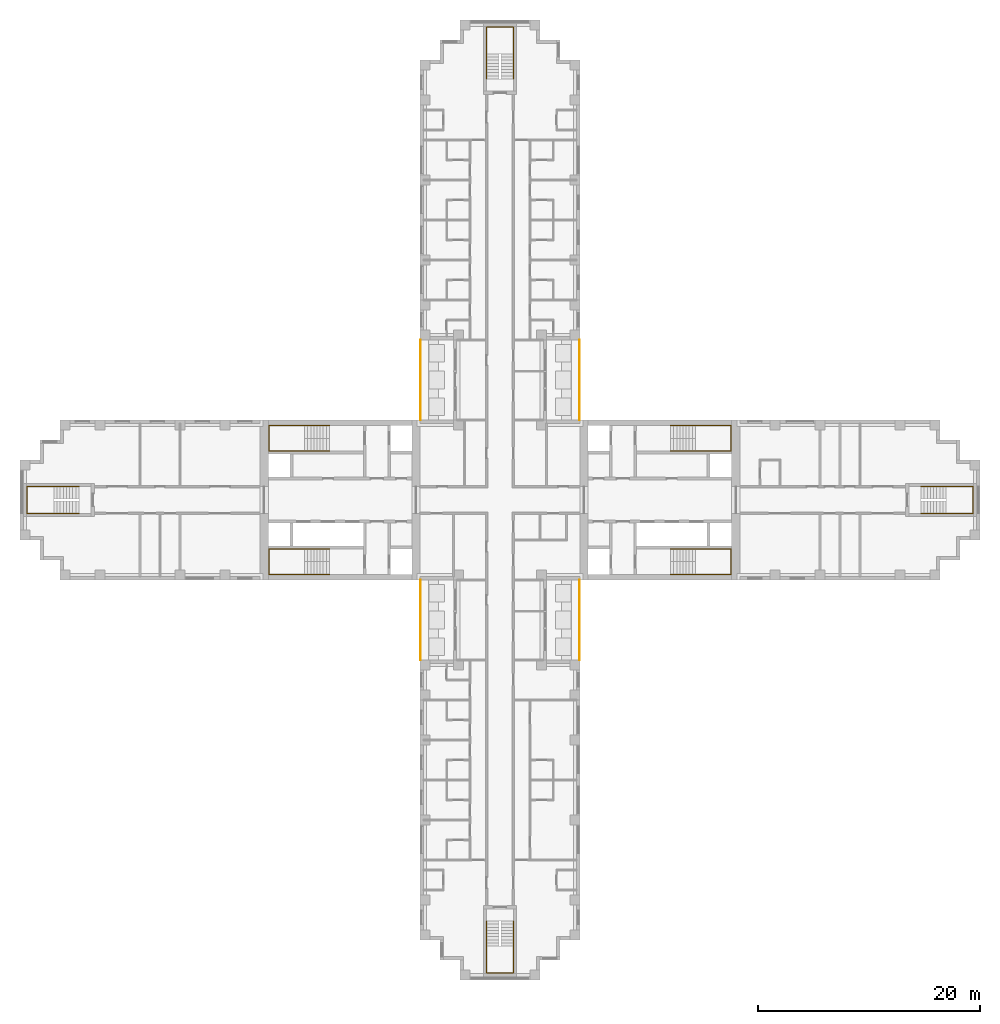
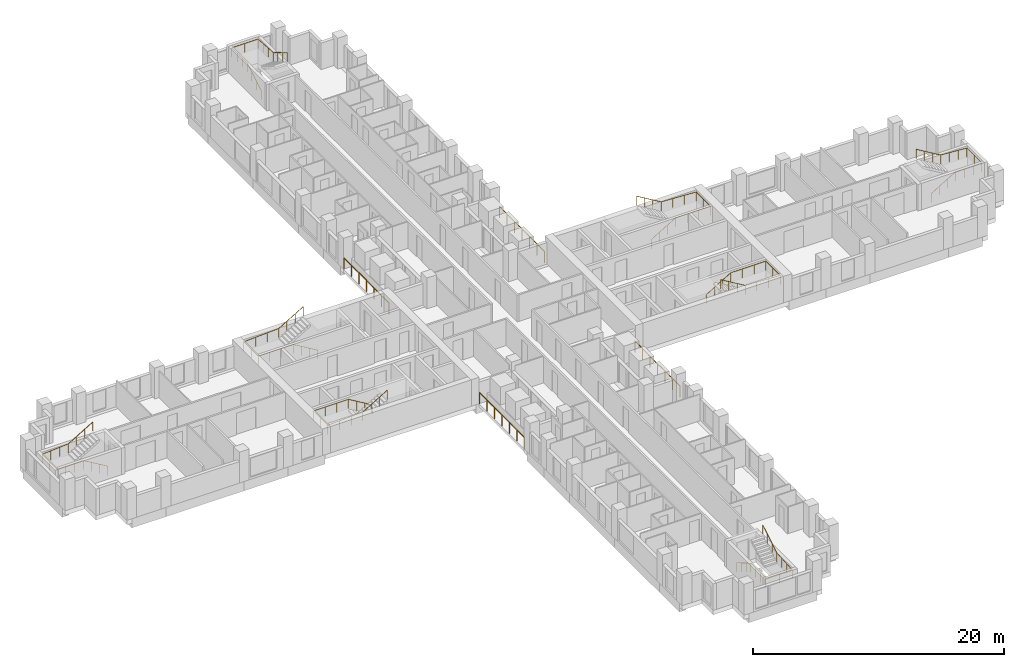
# One storey, part 14 of 15: 12 railings.
"""IFC4 building model written with IfcOpenShell, lengths in metres."""

import ifcopenshell
import ifcopenshell.guid

model = None  # the IFC model being written
_history = None  # IfcOwnerHistory: only IFC2X3 demands one
_inside = {}  # id of a spatial element -> (the spatial element, [elements in it])
_under = {}  # id of a project, library or spatial element -> (it, [spatial elements below it])
_declared = {}  # id of a project -> (the project, [libraries it declares])
_typed = {}  # id of a type object -> (the type object, [elements of that type])
_made_of = {}  # id of a material, layer set ... -> (it, [elements and type objects made of it])


def new_model(schema):
    """Start an empty IFC model of exactly this schema.

    Asked for "IFC4X3", IfcOpenShell would pick the latest addendum, in which some entities
    have other attributes; the version numbers below select the first issue.
    IFC2X3 requires an IfcOwnerHistory on every rooted entity: one is made here for all.
    """
    global model, _history
    if schema == "IFC4X3":
        model = ifcopenshell.file(schema_version=(4, 3, 0, 0))
    else:
        model = ifcopenshell.file(schema=schema)
    _inside.clear()
    _under.clear()
    _declared.clear()
    _typed.clear()
    _made_of.clear()
    _history = None
    if model.schema == "IFC2X3":
        org = make("IfcOrganization", Name="unknown")
        user = make(
            "IfcPersonAndOrganization",
            ThePerson=make("IfcPerson", FamilyName="unknown"),
            TheOrganization=org,
        )
        app = make(
            "IfcApplication",
            ApplicationDeveloper=org,
            Version="unknown",
            ApplicationFullName="unknown",
            ApplicationIdentifier="unknown",
        )
        _history = make(
            "IfcOwnerHistory",
            OwningUser=user,
            OwningApplication=app,
            ChangeAction="ADDED",
            CreationDate=0,
        )
    return model


def make(cls, **values):
    """One entity of the class cls with the attributes given. An attribute that is None is left unset."""
    return model.create_entity(
        cls, **{name: value for name, value in values.items() if value is not None}
    )


def rooted(cls, **values):
    """An entity with a GlobalId (a new one), such as an element, a storey or a relation."""
    return make(cls, GlobalId=ifcopenshell.guid.new(), OwnerHistory=_history, **values)


def si_unit(unit_type, name, prefix=None):
    """IfcSIUnit, for example si_unit("LENGTHUNIT", "METRE", prefix="MILLI")."""
    return make("IfcSIUnit", UnitType=unit_type, Prefix=prefix, Name=name)


def assignment(units):
    """IfcUnitAssignment: the units of a project."""
    return None if units is None else make("IfcUnitAssignment", Units=units)


def point(xyz):
    """IfcCartesianPoint."""
    return None if xyz is None else make("IfcCartesianPoint", Coordinates=xyz)


def direction(xyz):
    """IfcDirection."""
    return None if xyz is None else make("IfcDirection", DirectionRatios=xyz)


def frame(location, z_axis=None, x_axis=None):
    """IfcAxis2Placement3D, a coordinate frame: its origin and axes. An axis left out is left unset."""
    return make(
        "IfcAxis2Placement3D",
        Location=point(location),
        Axis=direction(z_axis),
        RefDirection=direction(x_axis),
    )


def frame_2d(location, x_axis=None):
    """IfcAxis2Placement2D, a coordinate frame in the plane: its origin and x axis."""
    return make(
        "IfcAxis2Placement2D", Location=point(location), RefDirection=direction(x_axis)
    )


def origin():
    """The frame at (0, 0, 0) with its axes left unset."""
    return frame((0.0, 0.0, 0.0))


def origin_2d():
    """The frame at (0, 0) in the plane with its x axis left unset."""
    return frame_2d((0.0, 0.0))


def place(relative_to, where):
    """IfcLocalPlacement: puts the frame where relative to a parent placement (None: the world)."""
    return make(
        "IfcLocalPlacement", PlacementRelTo=relative_to, RelativePlacement=where
    )


def context(
    kind, dimensions, precision=None, world=None, true_north=None, identifier=None
):
    """IfcGeometricRepresentationContext, for example the 3D "Model" context."""
    return make(
        "IfcGeometricRepresentationContext",
        ContextIdentifier=identifier,
        ContextType=kind,
        CoordinateSpaceDimension=dimensions,
        Precision=precision,
        WorldCoordinateSystem=world,
        TrueNorth=true_north,
    )


def subcontext(parent, identifier, kind, view, scale=None):
    """IfcGeometricRepresentationSubContext, for example "Body" below "Model"."""
    return make(
        "IfcGeometricRepresentationSubContext",
        ContextIdentifier=identifier,
        ContextType=kind,
        ParentContext=parent,
        TargetScale=scale,
        TargetView=view,
    )


def project(units=None, contexts=None):
    """IfcProject with its units and contexts."""
    return rooted(
        "IfcProject",
        Name="project",
        RepresentationContexts=contexts,
        UnitsInContext=assignment(units),
    )


def spatial(cls, under=None, at=None, **own):
    """A site, building, storey or space (cls), placed at a placement, below another one or the project."""
    s = rooted(cls, ObjectPlacement=at, **own)
    if under is not None:
        _under.setdefault(under.id(), (under, []))[1].append(s)
    return s


def profile(cls, at=None, kind="AREA", **sizes):
    """A parametric profile (cls). Its sizes go by their IFC names, for example OverallWidth=200.0."""
    return make(cls, ProfileType=kind, Position=at, **sizes)


def circle(**sizes):
    """IfcCircleProfileDef."""
    return profile("IfcCircleProfileDef", **sizes)


def extrude(swept, where, along, depth):
    """IfcExtrudedAreaSolid: the profile swept, set in the frame where, extruded along a direction by depth."""
    return make(
        "IfcExtrudedAreaSolid",
        SweptArea=swept,
        Position=where,
        ExtrudedDirection=direction(along),
        Depth=depth,
    )


def shape(context_of_items, identifier, shape_type, items):
    """IfcShapeRepresentation: the items that make up one representation, for example the "Body"."""
    return make(
        "IfcShapeRepresentation",
        ContextOfItems=context_of_items,
        RepresentationIdentifier=identifier,
        RepresentationType=shape_type,
        Items=items,
    )


def material(Name=None, Category=None):
    """IfcMaterial."""
    return make("IfcMaterial", Name=Name, Category=Category)


def made_of(thing, what):
    """Note that an element or type object is made of a material, layer set ...; save() writes the relation."""
    if what is not None:
        _made_of.setdefault(what.id(), (what, []))[1].append(thing)
    return thing


def type_object(cls, material=None, **own):
    """A type object (cls), such as IfcWallType, which elements share."""
    return made_of(rooted(cls, **own), material)


def element(
    cls,
    number,
    at=None,
    inside=None,
    cuts=None,
    type_object=None,
    material=None,
    context=None,
    identifier="Body",
    shape_type=None,
    held_by="IfcProductDefinitionShape",
    body=None,
    shapes=None,
    **own,
):
    """One element of the class cls, such as IfcWall. Its Tag is "e" and its number.

    at: its placement. inside: the storey or other place that contains it. cuts: it is an
    opening in that element (IfcRelVoidsElement). A single representation is given by context,
    identifier, shape_type and body (its items); several are given by shapes. held_by: the class
    of the entity that holds the representations. save() writes the other relations.
    """
    e = rooted(cls, Tag="e%d" % number, ObjectPlacement=at, **own)
    if body is not None:
        shapes = [shape(context, identifier, shape_type, body)]
    if shapes is not None:
        e.Representation = make(held_by, Representations=shapes)
    if inside is not None:
        _inside.setdefault(inside.id(), (inside, []))[1].append(e)
    if cuts is not None:
        rooted(
            "IfcRelVoidsElement", RelatingBuildingElement=cuts, RelatedOpeningElement=e
        )
    if type_object is not None:
        _typed.setdefault(type_object.id(), (type_object, []))[1].append(e)
    return made_of(e, material)


def aggregate(whole, parts):
    """IfcRelAggregates: a whole, such as a stair, and the parts it consists of."""
    return rooted("IfcRelAggregates", RelatingObject=whole, RelatedObjects=parts)


def save(model, path):
    """Write the relations noted so far, then the file.

    IfcRelAggregates (storeys below a building ...), IfcRelContainedInSpatialStructure (elements
    in a storey), IfcRelDefinesByType, IfcRelAssociatesMaterial and IfcRelDeclares: one each for
    every whole, place, type object, material and project.
    """
    for whole, parts in _under.values():
        aggregate(whole, parts)
    for where, things in _inside.values():
        rooted(
            "IfcRelContainedInSpatialStructure",
            RelatedElements=things,
            RelatingStructure=where,
        )
    for kind, things in _typed.values():
        rooted("IfcRelDefinesByType", RelatedObjects=things, RelatingType=kind)
    for what, things in _made_of.values():
        rooted("IfcRelAssociatesMaterial", RelatedObjects=things, RelatingMaterial=what)
    for by, libraries in _declared.values():
        rooted("IfcRelDeclares", RelatingContext=by, RelatedDefinitions=libraries)
    model.write(path)


model = new_model("IFC4")

# Units and contexts
model_context = context("Model", 3, precision=1e-05, world=origin(), true_north=direction((0.0, 1.0)))
body_context = subcontext(model_context, "Body", "Model", "MODEL_VIEW")
ifc_project = project(units=[si_unit("LENGTHUNIT", "METRE"), si_unit("AREAUNIT", "SQUARE_METRE"), si_unit("VOLUMEUNIT", "CUBIC_METRE"), si_unit("PLANEANGLEUNIT", "RADIAN"), si_unit("MASSUNIT", "GRAM", prefix="KILO")], contexts=[model_context])

# Site, building, storey
site_placement = place(None, origin())
site = spatial("IfcSite", under=ifc_project, at=site_placement, CompositionType="ELEMENT")
building_placement = place(site_placement, origin())
building = spatial("IfcBuilding", under=site, at=building_placement, Name="Fustian Cross Tower", CompositionType="ELEMENT")
storey_placement = place(building_placement, frame((0.0, 0.0, 14.699951171875)))
storey = spatial("IfcBuildingStorey", under=building, at=storey_placement, Name="L03", CompositionType="ELEMENT", Elevation=14.699951171875)

# Railings
ifc_material_1 = material(Name="Stainless steel and glass", Category="steel")
railing_type_1 = type_object("IfcRailingType", Name="GR1 BALCONY GUARD 1100", PredefinedType="GUARDRAIL", material=ifc_material_1)
for number, where, name in (
    (1, (7.14990234375, 7.199951171875, 0.0), "Balcony guard"),
    (2, (-7.14990234375, 7.199951171875, 0.0), "Balcony guard"),
    (3, (7.14990234375, -14.39990234375, 0.0), "Balcony guard"),
    (4, (-7.14990234375, -14.39990234375, 0.0), "Balcony guard"),
):
    element("IfcRailing", number, at=place(storey_placement, frame(where)), inside=storey, type_object=railing_type_1, Name=name, PredefinedType="GUARDRAIL", context=body_context, shape_type="SweptSolid", body=[
        extrude(circle(Radius=0.02392578125, at=origin_2d()), frame((0.0, 0.0, 1.076171875), z_axis=(0.0, 1.0, 0.0), x_axis=(-1.0, 0.0, 0.0)), (0.0, 0.0, 1.0), 7.199951171875),
        extrude(circle(Radius=0.02099609375, at=origin_2d()), origin(), (0.0, 0.0, 1.0), 1.052001953125),
        extrude(circle(Radius=0.02099609375, at=origin_2d()), frame((0.0, 1.199951171875, 0.0)), (0.0, 0.0, 1.0), 1.052001953125),
        extrude(circle(Radius=0.02099609375, at=origin_2d()), frame((0.0, 2.39990234375, 0.0)), (0.0, 0.0, 1.0), 1.052001953125),
        extrude(circle(Radius=0.02099609375, at=origin_2d()), frame((0.0, 3.60009765625, 0.0)), (0.0, 0.0, 1.0), 1.052001953125),
        extrude(circle(Radius=0.02099609375, at=origin_2d()), frame((0.0, 4.800048828125, 0.0)), (0.0, 0.0, 1.0), 1.052001953125),
        extrude(circle(Radius=0.02099609375, at=origin_2d()), frame((0.0, 6.0, 0.0)), (0.0, 0.0, 1.0), 1.052001953125),
        extrude(circle(Radius=0.02099609375, at=origin_2d()), frame((0.0, 7.199951171875, 0.0)), (0.0, 0.0, 1.0), 1.052001953125),
    ])
ifc_material_2 = material(Name="Stainless steel", Category="steel")
railing_type_2 = type_object("IfcRailingType", Name="STAIR HANDRAIL", PredefinedType="HANDRAIL", material=ifc_material_2)
railing_1_placement = place(storey_placement, frame((15.35009765625, 4.39990234375, 0.166748046875)))
element("IfcRailing", 5, at=railing_1_placement, inside=storey, type_object=railing_type_2, Name="Stair ST1 handrail 1", PredefinedType="HANDRAIL", context=body_context, shape_type="SweptSolid", body=[
    extrude(circle(Radius=0.02490234375, at=origin_2d()), frame((0.0, 0.0, 0.875), z_axis=(0.859305625298, 0.0, 0.511462454469), x_axis=(0.0, 1.0, 0.0)), (0.0, 0.0, 1.0), 2.606689453125),
    extrude(circle(Radius=0.02490234375, at=origin_2d()), frame((2.239990234375, 0.0, 2.2080078125), z_axis=(1.0, 0.0, 0.0), x_axis=(0.0, 1.0, 0.0)), (0.0, 0.0, 1.0), 3.219970703125),
    extrude(circle(Radius=0.02490234375, at=origin_2d()), frame((5.4599609375, 0.0, 2.2080078125), z_axis=(0.0, 1.0, 0.0), x_axis=(-1.0, 0.0, 0.0)), (0.0, 0.0, 1.0), 2.300048828125),
    extrude(circle(Radius=0.02490234375, at=origin_2d()), frame((5.4599609375, 2.300048828125, 2.2080078125), z_axis=(-0.998661817807, 0.0, 0.051716280352), x_axis=(0.0, -1.0, 0.0)), (0.0, 0.0, 1.0), 3.224365234375),
    extrude(circle(Radius=0.02490234375, at=origin_2d()), frame((2.239990234375, 2.300048828125, 2.375), z_axis=(-0.859305625298, 0.0, 0.511462454469), x_axis=(0.0, -1.0, 0.0)), (0.0, 0.0, 1.0), 2.606689453125),
    extrude(circle(Radius=0.02001953125, at=origin_2d()), origin(), (0.0, 0.0, 1.0), 0.849853515625),
    extrude(circle(Radius=0.02001953125, at=origin_2d()), frame((0.74658203125, 0.0, 0.4443359375)), (0.0, 0.0, 1.0), 0.849853515625),
    extrude(circle(Radius=0.02001953125, at=origin_2d()), frame((1.493408203125, 0.0, 0.888916015625)), (0.0, 0.0, 1.0), 0.849853515625),
    extrude(circle(Radius=0.02001953125, at=origin_2d()), frame((2.239990234375, 0.0, 1.333251953125)), (0.0, 0.0, 1.0), 0.849853515625),
    extrude(circle(Radius=0.02001953125, at=origin_2d()), frame((3.313232421875, 0.0, 1.333251953125)), (0.0, 0.0, 1.0), 0.849853515625),
    extrude(circle(Radius=0.02001953125, at=origin_2d()), frame((4.38671875, 0.0, 1.333251953125)), (0.0, 0.0, 1.0), 0.849853515625),
    extrude(circle(Radius=0.02001953125, at=origin_2d()), frame((5.4599609375, 0.0, 1.333251953125)), (0.0, 0.0, 1.0), 0.849853515625),
    extrude(circle(Radius=0.02001953125, at=origin_2d()), frame((5.4599609375, 1.14990234375, 1.333251953125)), (0.0, 0.0, 1.0), 0.849853515625),
    extrude(circle(Radius=0.02001953125, at=origin_2d()), frame((5.4599609375, 2.300048828125, 1.333251953125)), (0.0, 0.0, 1.0), 0.849853515625),
    extrude(circle(Radius=0.02001953125, at=origin_2d()), frame((4.38671875, 2.300048828125, 1.388916015625)), (0.0, 0.0, 1.0), 0.849853515625),
    extrude(circle(Radius=0.02001953125, at=origin_2d()), frame((3.313232421875, 2.300048828125, 1.4443359375)), (0.0, 0.0, 1.0), 0.849853515625),
    extrude(circle(Radius=0.02001953125, at=origin_2d()), frame((2.239990234375, 2.300048828125, 1.5)), (0.0, 0.0, 1.0), 0.849853515625),
    extrude(circle(Radius=0.02001953125, at=origin_2d()), frame((1.493408203125, 2.300048828125, 1.9443359375)), (0.0, 0.0, 1.0), 0.849853515625),
    extrude(circle(Radius=0.02001953125, at=origin_2d()), frame((0.74658203125, 2.300048828125, 2.388916015625)), (0.0, 0.0, 1.0), 0.849853515625),
    extrude(circle(Radius=0.02001953125, at=origin_2d()), frame((0.0, 2.300048828125, 2.833251953125)), (0.0, 0.0, 1.0), 0.849853515625),
])
railing_2_placement = place(storey_placement, frame((15.35009765625, -4.39990234375, 0.166748046875)))
element("IfcRailing", 6, at=railing_2_placement, inside=storey, type_object=railing_type_2, Name="Stair ST2 handrail 1", PredefinedType="HANDRAIL", context=body_context, shape_type="SweptSolid", body=[
    extrude(circle(Radius=0.02490234375, at=origin_2d()), frame((0.0, 0.0, 0.875), z_axis=(0.859305625298, 0.0, 0.511462454469), x_axis=(0.0, 1.0, 0.0)), (0.0, 0.0, 1.0), 2.606689453125),
    extrude(circle(Radius=0.02490234375, at=origin_2d()), frame((2.239990234375, 0.0, 2.2080078125), z_axis=(1.0, 0.0, 0.0), x_axis=(0.0, 1.0, 0.0)), (0.0, 0.0, 1.0), 3.219970703125),
    extrude(circle(Radius=0.02490234375, at=origin_2d()), frame((5.4599609375, 0.0, 2.2080078125), z_axis=(0.0, -1.0, 0.0), x_axis=(1.0, 0.0, 0.0)), (0.0, 0.0, 1.0), 2.300048828125),
    extrude(circle(Radius=0.02490234375, at=origin_2d()), frame((5.4599609375, -2.300048828125, 2.2080078125), z_axis=(-0.998661817807, 0.0, 0.051716280352), x_axis=(0.0, -1.0, 0.0)), (0.0, 0.0, 1.0), 3.224365234375),
    extrude(circle(Radius=0.02490234375, at=origin_2d()), frame((2.239990234375, -2.300048828125, 2.375), z_axis=(-0.859305625298, 0.0, 0.511462454469), x_axis=(0.0, -1.0, 0.0)), (0.0, 0.0, 1.0), 2.606689453125),
    extrude(circle(Radius=0.02001953125, at=origin_2d()), origin(), (0.0, 0.0, 1.0), 0.849853515625),
    extrude(circle(Radius=0.02001953125, at=origin_2d()), frame((0.74658203125, 0.0, 0.4443359375)), (0.0, 0.0, 1.0), 0.849853515625),
    extrude(circle(Radius=0.02001953125, at=origin_2d()), frame((1.493408203125, 0.0, 0.888916015625)), (0.0, 0.0, 1.0), 0.849853515625),
    extrude(circle(Radius=0.02001953125, at=origin_2d()), frame((2.239990234375, 0.0, 1.333251953125)), (0.0, 0.0, 1.0), 0.849853515625),
    extrude(circle(Radius=0.02001953125, at=origin_2d()), frame((3.313232421875, 0.0, 1.333251953125)), (0.0, 0.0, 1.0), 0.849853515625),
    extrude(circle(Radius=0.02001953125, at=origin_2d()), frame((4.38671875, 0.0, 1.333251953125)), (0.0, 0.0, 1.0), 0.849853515625),
    extrude(circle(Radius=0.02001953125, at=origin_2d()), frame((5.4599609375, 0.0, 1.333251953125)), (0.0, 0.0, 1.0), 0.849853515625),
    extrude(circle(Radius=0.02001953125, at=origin_2d()), frame((5.4599609375, -1.14990234375, 1.333251953125)), (0.0, 0.0, 1.0), 0.849853515625),
    extrude(circle(Radius=0.02001953125, at=origin_2d()), frame((5.4599609375, -2.300048828125, 1.333251953125)), (0.0, 0.0, 1.0), 0.849853515625),
    extrude(circle(Radius=0.02001953125, at=origin_2d()), frame((4.38671875, -2.300048828125, 1.388916015625)), (0.0, 0.0, 1.0), 0.849853515625),
    extrude(circle(Radius=0.02001953125, at=origin_2d()), frame((3.313232421875, -2.300048828125, 1.4443359375)), (0.0, 0.0, 1.0), 0.849853515625),
    extrude(circle(Radius=0.02001953125, at=origin_2d()), frame((2.239990234375, -2.300048828125, 1.5)), (0.0, 0.0, 1.0), 0.849853515625),
    extrude(circle(Radius=0.02001953125, at=origin_2d()), frame((1.493408203125, -2.300048828125, 1.9443359375)), (0.0, 0.0, 1.0), 0.849853515625),
    extrude(circle(Radius=0.02001953125, at=origin_2d()), frame((0.74658203125, -2.300048828125, 2.388916015625)), (0.0, 0.0, 1.0), 0.849853515625),
    extrude(circle(Radius=0.02001953125, at=origin_2d()), frame((0.0, -2.300048828125, 2.833251953125)), (0.0, 0.0, 1.0), 0.849853515625),
])
railing_3_placement = place(storey_placement, frame((-15.35009765625, 4.39990234375, 0.166748046875)))
element("IfcRailing", 7, at=railing_3_placement, inside=storey, type_object=railing_type_2, Name="Stair ST3 handrail 1", PredefinedType="HANDRAIL", context=body_context, shape_type="SweptSolid", body=[
    extrude(circle(Radius=0.02490234375, at=origin_2d()), frame((0.0, 0.0, 0.875), z_axis=(-0.859305625298, 0.0, 0.511462454469), x_axis=(0.0, -1.0, 0.0)), (0.0, 0.0, 1.0), 2.606689453125),
    extrude(circle(Radius=0.02490234375, at=origin_2d()), frame((-2.239990234375, 0.0, 2.2080078125), z_axis=(-1.0, 0.0, 0.0), x_axis=(0.0, -1.0, 0.0)), (0.0, 0.0, 1.0), 3.219970703125),
    extrude(circle(Radius=0.02490234375, at=origin_2d()), frame((-5.4599609375, 0.0, 2.2080078125), z_axis=(0.0, 1.0, 0.0), x_axis=(-1.0, 0.0, 0.0)), (0.0, 0.0, 1.0), 2.300048828125),
    extrude(circle(Radius=0.02490234375, at=origin_2d()), frame((-5.4599609375, 2.300048828125, 2.2080078125), z_axis=(0.998661817807, 0.0, 0.051716280352), x_axis=(0.0, 1.0, 0.0)), (0.0, 0.0, 1.0), 3.224365234375),
    extrude(circle(Radius=0.02490234375, at=origin_2d()), frame((-2.239990234375, 2.300048828125, 2.375), z_axis=(0.859305625298, 0.0, 0.511462454469), x_axis=(0.0, 1.0, 0.0)), (0.0, 0.0, 1.0), 2.606689453125),
    extrude(circle(Radius=0.02001953125, at=origin_2d()), origin(), (0.0, 0.0, 1.0), 0.849853515625),
    extrude(circle(Radius=0.02001953125, at=origin_2d()), frame((-0.74658203125, 0.0, 0.4443359375)), (0.0, 0.0, 1.0), 0.849853515625),
    extrude(circle(Radius=0.02001953125, at=origin_2d()), frame((-1.493408203125, 0.0, 0.888916015625)), (0.0, 0.0, 1.0), 0.849853515625),
    extrude(circle(Radius=0.02001953125, at=origin_2d()), frame((-2.239990234375, 0.0, 1.333251953125)), (0.0, 0.0, 1.0), 0.849853515625),
    extrude(circle(Radius=0.02001953125, at=origin_2d()), frame((-3.313232421875, 0.0, 1.333251953125)), (0.0, 0.0, 1.0), 0.849853515625),
    extrude(circle(Radius=0.02001953125, at=origin_2d()), frame((-4.38671875, 0.0, 1.333251953125)), (0.0, 0.0, 1.0), 0.849853515625),
    extrude(circle(Radius=0.02001953125, at=origin_2d()), frame((-5.4599609375, 0.0, 1.333251953125)), (0.0, 0.0, 1.0), 0.849853515625),
    extrude(circle(Radius=0.02001953125, at=origin_2d()), frame((-5.4599609375, 1.14990234375, 1.333251953125)), (0.0, 0.0, 1.0), 0.849853515625),
    extrude(circle(Radius=0.02001953125, at=origin_2d()), frame((-5.4599609375, 2.300048828125, 1.333251953125)), (0.0, 0.0, 1.0), 0.849853515625),
    extrude(circle(Radius=0.02001953125, at=origin_2d()), frame((-4.38671875, 2.300048828125, 1.388916015625)), (0.0, 0.0, 1.0), 0.849853515625),
    extrude(circle(Radius=0.02001953125, at=origin_2d()), frame((-3.313232421875, 2.300048828125, 1.4443359375)), (0.0, 0.0, 1.0), 0.849853515625),
    extrude(circle(Radius=0.02001953125, at=origin_2d()), frame((-2.239990234375, 2.300048828125, 1.5)), (0.0, 0.0, 1.0), 0.849853515625),
    extrude(circle(Radius=0.02001953125, at=origin_2d()), frame((-1.493408203125, 2.300048828125, 1.9443359375)), (0.0, 0.0, 1.0), 0.849853515625),
    extrude(circle(Radius=0.02001953125, at=origin_2d()), frame((-0.74658203125, 2.300048828125, 2.388916015625)), (0.0, 0.0, 1.0), 0.849853515625),
    extrude(circle(Radius=0.02001953125, at=origin_2d()), frame((0.0, 2.300048828125, 2.833251953125)), (0.0, 0.0, 1.0), 0.849853515625),
])
railing_4_placement = place(storey_placement, frame((-15.35009765625, -4.39990234375, 0.166748046875)))
element("IfcRailing", 8, at=railing_4_placement, inside=storey, type_object=railing_type_2, Name="Stair ST4 handrail 1", PredefinedType="HANDRAIL", context=body_context, shape_type="SweptSolid", body=[
    extrude(circle(Radius=0.02490234375, at=origin_2d()), frame((0.0, 0.0, 0.875), z_axis=(-0.859305625298, 0.0, 0.511462454469), x_axis=(0.0, -1.0, 0.0)), (0.0, 0.0, 1.0), 2.606689453125),
    extrude(circle(Radius=0.02490234375, at=origin_2d()), frame((-2.239990234375, 0.0, 2.2080078125), z_axis=(-1.0, 0.0, 0.0), x_axis=(0.0, -1.0, 0.0)), (0.0, 0.0, 1.0), 3.219970703125),
    extrude(circle(Radius=0.02490234375, at=origin_2d()), frame((-5.4599609375, 0.0, 2.2080078125), z_axis=(0.0, -1.0, 0.0), x_axis=(1.0, 0.0, 0.0)), (0.0, 0.0, 1.0), 2.300048828125),
    extrude(circle(Radius=0.02490234375, at=origin_2d()), frame((-5.4599609375, -2.300048828125, 2.2080078125), z_axis=(0.998661817807, 0.0, 0.051716280352), x_axis=(0.0, 1.0, 0.0)), (0.0, 0.0, 1.0), 3.224365234375),
    extrude(circle(Radius=0.02490234375, at=origin_2d()), frame((-2.239990234375, -2.300048828125, 2.375), z_axis=(0.859305625298, 0.0, 0.511462454469), x_axis=(0.0, 1.0, 0.0)), (0.0, 0.0, 1.0), 2.606689453125),
    extrude(circle(Radius=0.02001953125, at=origin_2d()), origin(), (0.0, 0.0, 1.0), 0.849853515625),
    extrude(circle(Radius=0.02001953125, at=origin_2d()), frame((-0.74658203125, 0.0, 0.4443359375)), (0.0, 0.0, 1.0), 0.849853515625),
    extrude(circle(Radius=0.02001953125, at=origin_2d()), frame((-1.493408203125, 0.0, 0.888916015625)), (0.0, 0.0, 1.0), 0.849853515625),
    extrude(circle(Radius=0.02001953125, at=origin_2d()), frame((-2.239990234375, 0.0, 1.333251953125)), (0.0, 0.0, 1.0), 0.849853515625),
    extrude(circle(Radius=0.02001953125, at=origin_2d()), frame((-3.313232421875, 0.0, 1.333251953125)), (0.0, 0.0, 1.0), 0.849853515625),
    extrude(circle(Radius=0.02001953125, at=origin_2d()), frame((-4.38671875, 0.0, 1.333251953125)), (0.0, 0.0, 1.0), 0.849853515625),
    extrude(circle(Radius=0.02001953125, at=origin_2d()), frame((-5.4599609375, 0.0, 1.333251953125)), (0.0, 0.0, 1.0), 0.849853515625),
    extrude(circle(Radius=0.02001953125, at=origin_2d()), frame((-5.4599609375, -1.14990234375, 1.333251953125)), (0.0, 0.0, 1.0), 0.849853515625),
    extrude(circle(Radius=0.02001953125, at=origin_2d()), frame((-5.4599609375, -2.300048828125, 1.333251953125)), (0.0, 0.0, 1.0), 0.849853515625),
    extrude(circle(Radius=0.02001953125, at=origin_2d()), frame((-4.38671875, -2.300048828125, 1.388916015625)), (0.0, 0.0, 1.0), 0.849853515625),
    extrude(circle(Radius=0.02001953125, at=origin_2d()), frame((-3.313232421875, -2.300048828125, 1.4443359375)), (0.0, 0.0, 1.0), 0.849853515625),
    extrude(circle(Radius=0.02001953125, at=origin_2d()), frame((-2.239990234375, -2.300048828125, 1.5)), (0.0, 0.0, 1.0), 0.849853515625),
    extrude(circle(Radius=0.02001953125, at=origin_2d()), frame((-1.493408203125, -2.300048828125, 1.9443359375)), (0.0, 0.0, 1.0), 0.849853515625),
    extrude(circle(Radius=0.02001953125, at=origin_2d()), frame((-0.74658203125, -2.300048828125, 2.388916015625)), (0.0, 0.0, 1.0), 0.849853515625),
    extrude(circle(Radius=0.02001953125, at=origin_2d()), frame((0.0, -2.300048828125, 2.833251953125)), (0.0, 0.0, 1.0), 0.849853515625),
])
railing_5_placement = place(storey_placement, frame((-1.199951171875, 37.89990234375, 0.166748046875)))
element("IfcRailing", 9, at=railing_5_placement, inside=storey, type_object=railing_type_2, Name="Stair ST5 handrail 1", PredefinedType="HANDRAIL", context=body_context, shape_type="SweptSolid", body=[
    extrude(circle(Radius=0.02490234375, at=origin_2d()), frame((0.0, 0.0, 0.875), z_axis=(0.0, 0.859305625298, 0.511462454469), x_axis=(-1.0, 0.0, 0.0)), (0.0, 0.0, 1.0), 2.606689453125),
    extrude(circle(Radius=0.02490234375, at=origin_2d()), frame((0.0, 2.239990234375, 2.2080078125), z_axis=(0.0, 1.0, 0.0), x_axis=(-1.0, 0.0, 0.0)), (0.0, 0.0, 1.0), 2.420166015625),
    extrude(circle(Radius=0.02490234375, at=origin_2d()), frame((0.0, 4.66015625, 2.2080078125), z_axis=(1.0, 0.0, 0.0), x_axis=(0.0, 1.0, 0.0)), (0.0, 0.0, 1.0), 2.39990234375),
    extrude(circle(Radius=0.02490234375, at=origin_2d()), frame((2.39990234375, 4.66015625, 2.2080078125), z_axis=(0.0, -0.997634852044, 0.068736467663), x_axis=(1.0, 0.0, 0.0)), (0.0, 0.0, 1.0), 2.426025390625),
    extrude(circle(Radius=0.02490234375, at=origin_2d()), frame((2.39990234375, 2.239990234375, 2.375), z_axis=(0.0, -0.859305625298, 0.511462454469), x_axis=(1.0, 0.0, 0.0)), (0.0, 0.0, 1.0), 2.606689453125),
    extrude(circle(Radius=0.02001953125, at=origin_2d()), origin(), (0.0, 0.0, 1.0), 0.849853515625),
    extrude(circle(Radius=0.02001953125, at=origin_2d()), frame((0.0, 0.74658203125, 0.4443359375)), (0.0, 0.0, 1.0), 0.849853515625),
    extrude(circle(Radius=0.02001953125, at=origin_2d()), frame((0.0, 1.493408203125, 0.888916015625)), (0.0, 0.0, 1.0), 0.849853515625),
    extrude(circle(Radius=0.02001953125, at=origin_2d()), frame((0.0, 2.239990234375, 1.333251953125)), (0.0, 0.0, 1.0), 0.849853515625),
    extrude(circle(Radius=0.02001953125, at=origin_2d()), frame((0.0, 3.046630859375, 1.333251953125)), (0.0, 0.0, 1.0), 0.849853515625),
    extrude(circle(Radius=0.02001953125, at=origin_2d()), frame((0.0, 3.853515625, 1.333251953125)), (0.0, 0.0, 1.0), 0.849853515625),
    extrude(circle(Radius=0.02001953125, at=origin_2d()), frame((0.0, 4.66015625, 1.333251953125)), (0.0, 0.0, 1.0), 0.849853515625),
    extrude(circle(Radius=0.02001953125, at=origin_2d()), frame((1.199951171875, 4.66015625, 1.333251953125)), (0.0, 0.0, 1.0), 0.849853515625),
    extrude(circle(Radius=0.02001953125, at=origin_2d()), frame((2.39990234375, 4.66015625, 1.333251953125)), (0.0, 0.0, 1.0), 0.849853515625),
    extrude(circle(Radius=0.02001953125, at=origin_2d()), frame((2.39990234375, 3.853515625, 1.388916015625)), (0.0, 0.0, 1.0), 0.849853515625),
    extrude(circle(Radius=0.02001953125, at=origin_2d()), frame((2.39990234375, 3.046630859375, 1.4443359375)), (0.0, 0.0, 1.0), 0.849853515625),
    extrude(circle(Radius=0.02001953125, at=origin_2d()), frame((2.39990234375, 2.239990234375, 1.5)), (0.0, 0.0, 1.0), 0.849853515625),
    extrude(circle(Radius=0.02001953125, at=origin_2d()), frame((2.39990234375, 1.493408203125, 1.9443359375)), (0.0, 0.0, 1.0), 0.849853515625),
    extrude(circle(Radius=0.02001953125, at=origin_2d()), frame((2.39990234375, 0.74658203125, 2.388916015625)), (0.0, 0.0, 1.0), 0.849853515625),
    extrude(circle(Radius=0.02001953125, at=origin_2d()), frame((2.39990234375, 0.0, 2.833251953125)), (0.0, 0.0, 1.0), 0.849853515625),
])
railing_6_placement = place(storey_placement, frame((-1.199951171875, -37.89990234375, 0.166748046875)))
element("IfcRailing", 10, at=railing_6_placement, inside=storey, type_object=railing_type_2, Name="Stair ST6 handrail 1", PredefinedType="HANDRAIL", context=body_context, shape_type="SweptSolid", body=[
    extrude(circle(Radius=0.02490234375, at=origin_2d()), frame((0.0, 0.0, 0.875), z_axis=(0.0, -0.859305625298, 0.511462454469), x_axis=(1.0, 0.0, 0.0)), (0.0, 0.0, 1.0), 2.606689453125),
    extrude(circle(Radius=0.02490234375, at=origin_2d()), frame((0.0, -2.239990234375, 2.2080078125), z_axis=(0.0, -1.0, 0.0), x_axis=(1.0, 0.0, 0.0)), (0.0, 0.0, 1.0), 2.420166015625),
    extrude(circle(Radius=0.02490234375, at=origin_2d()), frame((0.0, -4.66015625, 2.2080078125), z_axis=(1.0, 0.0, 0.0), x_axis=(0.0, 1.0, 0.0)), (0.0, 0.0, 1.0), 2.39990234375),
    extrude(circle(Radius=0.02490234375, at=origin_2d()), frame((2.39990234375, -4.66015625, 2.2080078125), z_axis=(0.0, 0.997634852044, 0.068736467663), x_axis=(-1.0, 0.0, 0.0)), (0.0, 0.0, 1.0), 2.426025390625),
    extrude(circle(Radius=0.02490234375, at=origin_2d()), frame((2.39990234375, -2.239990234375, 2.375), z_axis=(0.0, 0.859305625298, 0.511462454469), x_axis=(-1.0, 0.0, 0.0)), (0.0, 0.0, 1.0), 2.606689453125),
    extrude(circle(Radius=0.02001953125, at=origin_2d()), origin(), (0.0, 0.0, 1.0), 0.849853515625),
    extrude(circle(Radius=0.02001953125, at=origin_2d()), frame((0.0, -0.74658203125, 0.4443359375)), (0.0, 0.0, 1.0), 0.849853515625),
    extrude(circle(Radius=0.02001953125, at=origin_2d()), frame((0.0, -1.493408203125, 0.888916015625)), (0.0, 0.0, 1.0), 0.849853515625),
    extrude(circle(Radius=0.02001953125, at=origin_2d()), frame((0.0, -2.239990234375, 1.333251953125)), (0.0, 0.0, 1.0), 0.849853515625),
    extrude(circle(Radius=0.02001953125, at=origin_2d()), frame((0.0, -3.046630859375, 1.333251953125)), (0.0, 0.0, 1.0), 0.849853515625),
    extrude(circle(Radius=0.02001953125, at=origin_2d()), frame((0.0, -3.853515625, 1.333251953125)), (0.0, 0.0, 1.0), 0.849853515625),
    extrude(circle(Radius=0.02001953125, at=origin_2d()), frame((0.0, -4.66015625, 1.333251953125)), (0.0, 0.0, 1.0), 0.849853515625),
    extrude(circle(Radius=0.02001953125, at=origin_2d()), frame((1.199951171875, -4.66015625, 1.333251953125)), (0.0, 0.0, 1.0), 0.849853515625),
    extrude(circle(Radius=0.02001953125, at=origin_2d()), frame((2.39990234375, -4.66015625, 1.333251953125)), (0.0, 0.0, 1.0), 0.849853515625),
    extrude(circle(Radius=0.02001953125, at=origin_2d()), frame((2.39990234375, -3.853515625, 1.388916015625)), (0.0, 0.0, 1.0), 0.849853515625),
    extrude(circle(Radius=0.02001953125, at=origin_2d()), frame((2.39990234375, -3.046630859375, 1.4443359375)), (0.0, 0.0, 1.0), 0.849853515625),
    extrude(circle(Radius=0.02001953125, at=origin_2d()), frame((2.39990234375, -2.239990234375, 1.5)), (0.0, 0.0, 1.0), 0.849853515625),
    extrude(circle(Radius=0.02001953125, at=origin_2d()), frame((2.39990234375, -1.493408203125, 1.9443359375)), (0.0, 0.0, 1.0), 0.849853515625),
    extrude(circle(Radius=0.02001953125, at=origin_2d()), frame((2.39990234375, -0.74658203125, 2.388916015625)), (0.0, 0.0, 1.0), 0.849853515625),
    extrude(circle(Radius=0.02001953125, at=origin_2d()), frame((2.39990234375, 0.0, 2.833251953125)), (0.0, 0.0, 1.0), 0.849853515625),
])
railing_7_placement = place(storey_placement, frame((37.89990234375, -1.199951171875, 0.166748046875)))
element("IfcRailing", 11, at=railing_7_placement, inside=storey, type_object=railing_type_2, Name="Stair ST8 handrail 1", PredefinedType="HANDRAIL", context=body_context, shape_type="SweptSolid", body=[
    extrude(circle(Radius=0.02490234375, at=origin_2d()), frame((0.0, 0.0, 0.875), z_axis=(0.859305625298, 0.0, 0.511462454469), x_axis=(0.0, 1.0, 0.0)), (0.0, 0.0, 1.0), 2.606689453125),
    extrude(circle(Radius=0.02490234375, at=origin_2d()), frame((2.239990234375, 0.0, 2.2080078125), z_axis=(1.0, 0.0, 0.0), x_axis=(0.0, 1.0, 0.0)), (0.0, 0.0, 1.0), 2.420166015625),
    extrude(circle(Radius=0.02490234375, at=origin_2d()), frame((4.66015625, 0.0, 2.2080078125), z_axis=(0.0, 1.0, 0.0), x_axis=(-1.0, 0.0, 0.0)), (0.0, 0.0, 1.0), 2.39990234375),
    extrude(circle(Radius=0.02490234375, at=origin_2d()), frame((4.66015625, 2.39990234375, 2.2080078125), z_axis=(-0.997634852044, 0.0, 0.068736467663), x_axis=(0.0, -1.0, 0.0)), (0.0, 0.0, 1.0), 2.426025390625),
    extrude(circle(Radius=0.02490234375, at=origin_2d()), frame((2.239990234375, 2.39990234375, 2.375), z_axis=(-0.859305625298, 0.0, 0.511462454469), x_axis=(0.0, -1.0, 0.0)), (0.0, 0.0, 1.0), 2.606689453125),
    extrude(circle(Radius=0.02001953125, at=origin_2d()), origin(), (0.0, 0.0, 1.0), 0.849853515625),
    extrude(circle(Radius=0.02001953125, at=origin_2d()), frame((0.74658203125, 0.0, 0.4443359375)), (0.0, 0.0, 1.0), 0.849853515625),
    extrude(circle(Radius=0.02001953125, at=origin_2d()), frame((1.493408203125, 0.0, 0.888916015625)), (0.0, 0.0, 1.0), 0.849853515625),
    extrude(circle(Radius=0.02001953125, at=origin_2d()), frame((2.239990234375, 0.0, 1.333251953125)), (0.0, 0.0, 1.0), 0.849853515625),
    extrude(circle(Radius=0.02001953125, at=origin_2d()), frame((3.046630859375, 0.0, 1.333251953125)), (0.0, 0.0, 1.0), 0.849853515625),
    extrude(circle(Radius=0.02001953125, at=origin_2d()), frame((3.853515625, 0.0, 1.333251953125)), (0.0, 0.0, 1.0), 0.849853515625),
    extrude(circle(Radius=0.02001953125, at=origin_2d()), frame((4.66015625, 0.0, 1.333251953125)), (0.0, 0.0, 1.0), 0.849853515625),
    extrude(circle(Radius=0.02001953125, at=origin_2d()), frame((4.66015625, 1.199951171875, 1.333251953125)), (0.0, 0.0, 1.0), 0.849853515625),
    extrude(circle(Radius=0.02001953125, at=origin_2d()), frame((4.66015625, 2.39990234375, 1.333251953125)), (0.0, 0.0, 1.0), 0.849853515625),
    extrude(circle(Radius=0.02001953125, at=origin_2d()), frame((3.853515625, 2.39990234375, 1.388916015625)), (0.0, 0.0, 1.0), 0.849853515625),
    extrude(circle(Radius=0.02001953125, at=origin_2d()), frame((3.046630859375, 2.39990234375, 1.4443359375)), (0.0, 0.0, 1.0), 0.849853515625),
    extrude(circle(Radius=0.02001953125, at=origin_2d()), frame((2.239990234375, 2.39990234375, 1.5)), (0.0, 0.0, 1.0), 0.849853515625),
    extrude(circle(Radius=0.02001953125, at=origin_2d()), frame((1.493408203125, 2.39990234375, 1.9443359375)), (0.0, 0.0, 1.0), 0.849853515625),
    extrude(circle(Radius=0.02001953125, at=origin_2d()), frame((0.74658203125, 2.39990234375, 2.388916015625)), (0.0, 0.0, 1.0), 0.849853515625),
    extrude(circle(Radius=0.02001953125, at=origin_2d()), frame((0.0, 2.39990234375, 2.833251953125)), (0.0, 0.0, 1.0), 0.849853515625),
])
railing_8_placement = place(storey_placement, frame((-37.89990234375, -1.199951171875, 0.166748046875)))
element("IfcRailing", 12, at=railing_8_placement, inside=storey, type_object=railing_type_2, Name="Stair ST9 handrail 1", PredefinedType="HANDRAIL", context=body_context, shape_type="SweptSolid", body=[
    extrude(circle(Radius=0.02490234375, at=origin_2d()), frame((0.0, 0.0, 0.875), z_axis=(-0.859305625298, 0.0, 0.511462454469), x_axis=(0.0, -1.0, 0.0)), (0.0, 0.0, 1.0), 2.606689453125),
    extrude(circle(Radius=0.02490234375, at=origin_2d()), frame((-2.239990234375, 0.0, 2.2080078125), z_axis=(-1.0, 0.0, 0.0), x_axis=(0.0, -1.0, 0.0)), (0.0, 0.0, 1.0), 2.420166015625),
    extrude(circle(Radius=0.02490234375, at=origin_2d()), frame((-4.66015625, 0.0, 2.2080078125), z_axis=(0.0, 1.0, 0.0), x_axis=(-1.0, 0.0, 0.0)), (0.0, 0.0, 1.0), 2.39990234375),
    extrude(circle(Radius=0.02490234375, at=origin_2d()), frame((-4.66015625, 2.39990234375, 2.2080078125), z_axis=(0.997634852044, 0.0, 0.068736467663), x_axis=(0.0, 1.0, 0.0)), (0.0, 0.0, 1.0), 2.426025390625),
    extrude(circle(Radius=0.02490234375, at=origin_2d()), frame((-2.239990234375, 2.39990234375, 2.375), z_axis=(0.859305625298, 0.0, 0.511462454469), x_axis=(0.0, 1.0, 0.0)), (0.0, 0.0, 1.0), 2.606689453125),
    extrude(circle(Radius=0.02001953125, at=origin_2d()), origin(), (0.0, 0.0, 1.0), 0.849853515625),
    extrude(circle(Radius=0.02001953125, at=origin_2d()), frame((-0.74658203125, 0.0, 0.4443359375)), (0.0, 0.0, 1.0), 0.849853515625),
    extrude(circle(Radius=0.02001953125, at=origin_2d()), frame((-1.493408203125, 0.0, 0.888916015625)), (0.0, 0.0, 1.0), 0.849853515625),
    extrude(circle(Radius=0.02001953125, at=origin_2d()), frame((-2.239990234375, 0.0, 1.333251953125)), (0.0, 0.0, 1.0), 0.849853515625),
    extrude(circle(Radius=0.02001953125, at=origin_2d()), frame((-3.046630859375, 0.0, 1.333251953125)), (0.0, 0.0, 1.0), 0.849853515625),
    extrude(circle(Radius=0.02001953125, at=origin_2d()), frame((-3.853515625, 0.0, 1.333251953125)), (0.0, 0.0, 1.0), 0.849853515625),
    extrude(circle(Radius=0.02001953125, at=origin_2d()), frame((-4.66015625, 0.0, 1.333251953125)), (0.0, 0.0, 1.0), 0.849853515625),
    extrude(circle(Radius=0.02001953125, at=origin_2d()), frame((-4.66015625, 1.199951171875, 1.333251953125)), (0.0, 0.0, 1.0), 0.849853515625),
    extrude(circle(Radius=0.02001953125, at=origin_2d()), frame((-4.66015625, 2.39990234375, 1.333251953125)), (0.0, 0.0, 1.0), 0.849853515625),
    extrude(circle(Radius=0.02001953125, at=origin_2d()), frame((-3.853515625, 2.39990234375, 1.388916015625)), (0.0, 0.0, 1.0), 0.849853515625),
    extrude(circle(Radius=0.02001953125, at=origin_2d()), frame((-3.046630859375, 2.39990234375, 1.4443359375)), (0.0, 0.0, 1.0), 0.849853515625),
    extrude(circle(Radius=0.02001953125, at=origin_2d()), frame((-2.239990234375, 2.39990234375, 1.5)), (0.0, 0.0, 1.0), 0.849853515625),
    extrude(circle(Radius=0.02001953125, at=origin_2d()), frame((-1.493408203125, 2.39990234375, 1.9443359375)), (0.0, 0.0, 1.0), 0.849853515625),
    extrude(circle(Radius=0.02001953125, at=origin_2d()), frame((-0.74658203125, 2.39990234375, 2.388916015625)), (0.0, 0.0, 1.0), 0.849853515625),
    extrude(circle(Radius=0.02001953125, at=origin_2d()), frame((0.0, 2.39990234375, 2.833251953125)), (0.0, 0.0, 1.0), 0.849853515625),
])

save(model, "model.ifc")
